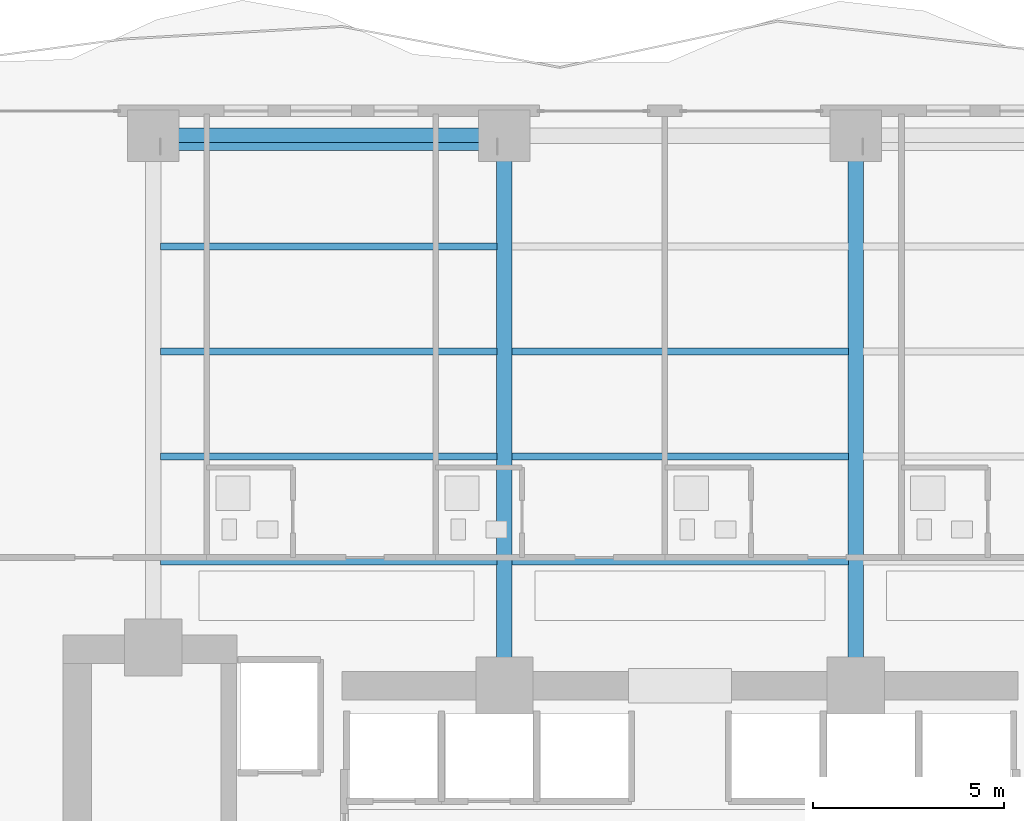
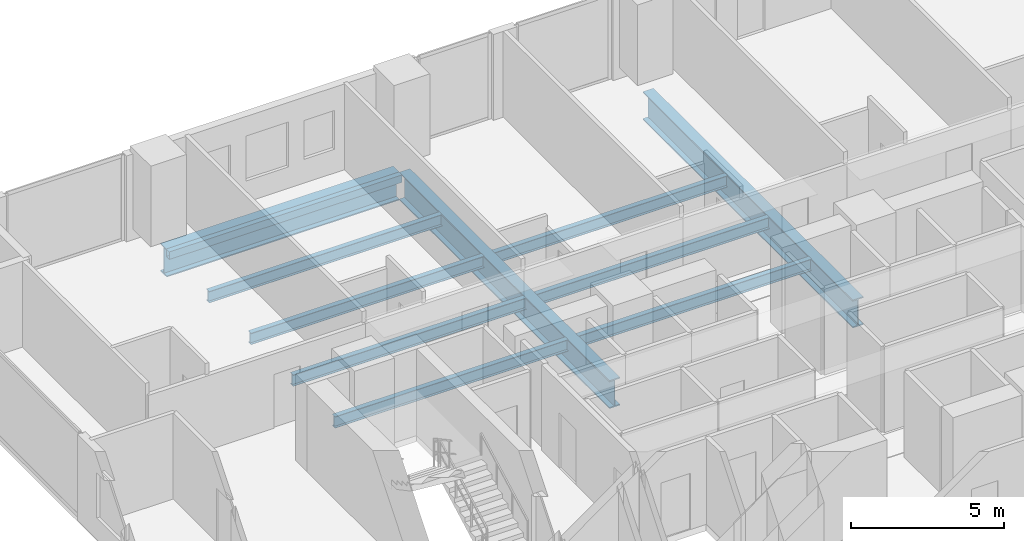
# One storey, part 15 of 29: 11 beams.
"""IFC4 building model written with IfcOpenShell, lengths in metres."""

from ifc_helpers import new_model, si_unit, direction, frame, origin, origin_2d, place, context, subcontext, project, spatial, hollow_rectangle, i_section, extrude, material, material_profile, profile_set, type_object, element, save


model = new_model("IFC4")

# Units and contexts
model_context = context("Model", 3, precision=1e-05, world=origin(), true_north=direction((0.0, 1.0)))
body_context = subcontext(model_context, "Body", "Model", "MODEL_VIEW")
ifc_project = project(units=[si_unit("LENGTHUNIT", "METRE"), si_unit("AREAUNIT", "SQUARE_METRE"), si_unit("VOLUMEUNIT", "CUBIC_METRE"), si_unit("PLANEANGLEUNIT", "RADIAN"), si_unit("MASSUNIT", "GRAM", prefix="KILO")], contexts=[model_context])

# Site, building, storey
site_placement = place(None, origin())
site = spatial("IfcSite", under=ifc_project, at=site_placement, CompositionType="ELEMENT")
building_placement = place(site_placement, origin())
building = spatial("IfcBuilding", under=site, at=building_placement, Name="Zuhayl Quay Hotel", CompositionType="ELEMENT")
storey_placement = place(building_placement, frame((0.0, 0.0, 95.64990234375)))
storey = spatial("IfcBuildingStorey", under=building, at=storey_placement, Name="L23", CompositionType="ELEMENT", Elevation=95.64990234375)

# Beams
ifc_material_1 = material(Name="Steel ASTM A992 Grade 50", Category="steel")
ifc_material_profile_1 = material_profile(ifc_material_1, i_section(OverallWidth=0.18994140625, OverallDepth=0.45703125, WebThickness=0.009033203125, FlangeThickness=0.014404296875, at=origin_2d()), Name="W18X50")
ifc_profile_set_1 = profile_set([ifc_material_profile_1], Name="Steel ASTM A992 Grade 50")
beam_type_1 = type_object("IfcBeamType", Name="BM_J2_W18X50", PredefinedType="JOIST", material=ifc_profile_set_1)
for number, where, z_axis, x_axis, name in (
    (1, (-13.60595703125, 16.60009765625, -0.48828125), (1.0, 0.0, 0.0), (0.0, 1.0, 0.0), "L23 Floor Beam FJ_L23_1_1"),
    (2, (-4.406005859375, 16.60009765625, -0.48828125), (1.0, 0.0, 0.0), (0.0, 1.0, 0.0), "L23 Floor Beam FJ_L23_1_2"),
    (3, (-13.60595703125, 19.35009765625, -0.48828125), (1.0, 0.0, 0.0), (0.0, 1.0, 0.0), "L23 Floor Beam FJ_L23_2_1"),
    (4, (-4.406005859375, 19.35009765625, -0.48828125), (1.0, 0.0, 0.0), (0.0, 1.0, 0.0), "L23 Floor Beam FJ_L23_2_2"),
    (5, (-13.60595703125, 22.10009765625, -0.48828125), (1.0, 0.0, 0.0), (0.0, 1.0, 0.0), "L23 Floor Beam FJ_L23_3_1"),
    (6, (-4.406005859375, 22.10009765625, -0.48828125), (1.0, 0.0, 0.0), (0.0, 1.0, 0.0), "L23 Floor Beam FJ_L23_3_2"),
    (7, (-13.60595703125, 24.85009765625, -0.48828125), (1.0, 0.0, 0.0), (0.0, 1.0, 0.0), "L23 Floor Beam FJ_L23_4_1"),
):
    element("IfcBeam", number, at=place(storey_placement, frame(where, z_axis=z_axis, x_axis=x_axis)), inside=storey, type_object=beam_type_1, Name=name, PredefinedType="JOIST", context=body_context, shape_type="SweptSolid", body=[
        extrude(i_section(OverallWidth=0.18994140625, OverallDepth=0.45703125, WebThickness=0.009033203125, FlangeThickness=0.014404296875, at=origin_2d()), origin(), (0.0, 0.0, 1.0), 8.81201171875),
    ])
ifc_material_2 = material(Name="Steel ASTM A500 Grade C", Category="steel")
ifc_material_profile_2 = material_profile(ifc_material_2, hollow_rectangle(XDim=0.199951171875, YDim=0.300048828125, WallThickness=0.012451171875, at=origin_2d()), Name="HSS300X200X12")
ifc_profile_set_2 = profile_set([ifc_material_profile_2], Name="Steel ASTM A500 Grade C")
beam_type_2 = type_object("IfcBeamType", Name="BM_SP1_HSS300", PredefinedType="SPANDREL", material=ifc_profile_set_2)
beam_1_placement = place(storey_placement, frame((-13.60009765625, 27.469970703125, -0.409912109375), z_axis=(1.0, 0.0, 0.0), x_axis=(0.0, 1.0, 0.0)))
element("IfcBeam", 8, at=beam_1_placement, inside=storey, type_object=beam_type_2, Name="L23 Perimeter Spandrel Beam SP1-1", PredefinedType="SPANDREL", context=body_context, shape_type="SweptSolid", body=[
    extrude(hollow_rectangle(XDim=0.199951171875, YDim=0.300048828125, WallThickness=0.012451171875, at=origin_2d()), origin(), (0.0, 0.0, 1.0), 8.800048828125),
])
ifc_material_3 = material(Name="Steel ASTM A913 Grade 65", Category="steel")
ifc_material_profile_3 = material_profile(ifc_material_3, i_section(OverallWidth=0.404052734375, OverallDepth=1.117919921875, WebThickness=0.026123046875, FlangeThickness=0.044921875, at=origin_2d()), Name="W44X335")
ifc_profile_set_3 = profile_set([ifc_material_profile_3], Name="Steel ASTM A913 Grade 65")
beam_type_3 = type_object("IfcBeamType", Name="BM_TG1_W44X335", PredefinedType="BEAM", material=ifc_profile_set_3)
beam_2_placement = place(storey_placement, frame((-4.800048828125, 27.75, -0.81884765625), z_axis=(-1.0, 0.0, 0.0), x_axis=(0.0, -1.0, 0.0)))
element("IfcBeam", 9, at=beam_2_placement, inside=storey, type_object=beam_type_3, Name="L23 Floor Beam RG_L23_09", PredefinedType="BEAM", context=body_context, shape_type="SweptSolid", body=[
    extrude(i_section(OverallWidth=0.404052734375, OverallDepth=1.117919921875, WebThickness=0.026123046875, FlangeThickness=0.044921875, at=origin_2d()), origin(), (0.0, 0.0, 1.0), 8.800048828125),
])
for number, where, z_axis, x_axis, name in (
    (10, (-4.60009765625, 13.800048828125, -0.81884765625), (0.0, 1.0, 0.0), (-1.0, 0.0, 0.0), "L23 Floor Beam FG_N_L23_2"),
    (11, (4.60009765625, 13.800048828125, -0.81884765625), (0.0, 1.0, 0.0), (-1.0, 0.0, 0.0), "L23 Floor Beam FG_N_L23_3"),
):
    element("IfcBeam", number, at=place(storey_placement, frame(where, z_axis=z_axis, x_axis=x_axis)), inside=storey, type_object=beam_type_3, Name=name, PredefinedType="BEAM", context=body_context, shape_type="SweptSolid", body=[
        extrude(i_section(OverallWidth=0.404052734375, OverallDepth=1.117919921875, WebThickness=0.026123046875, FlangeThickness=0.044921875, at=origin_2d()), origin(), (0.0, 0.0, 1.0), 13.75),
    ])

save(model, "model.ifc")
